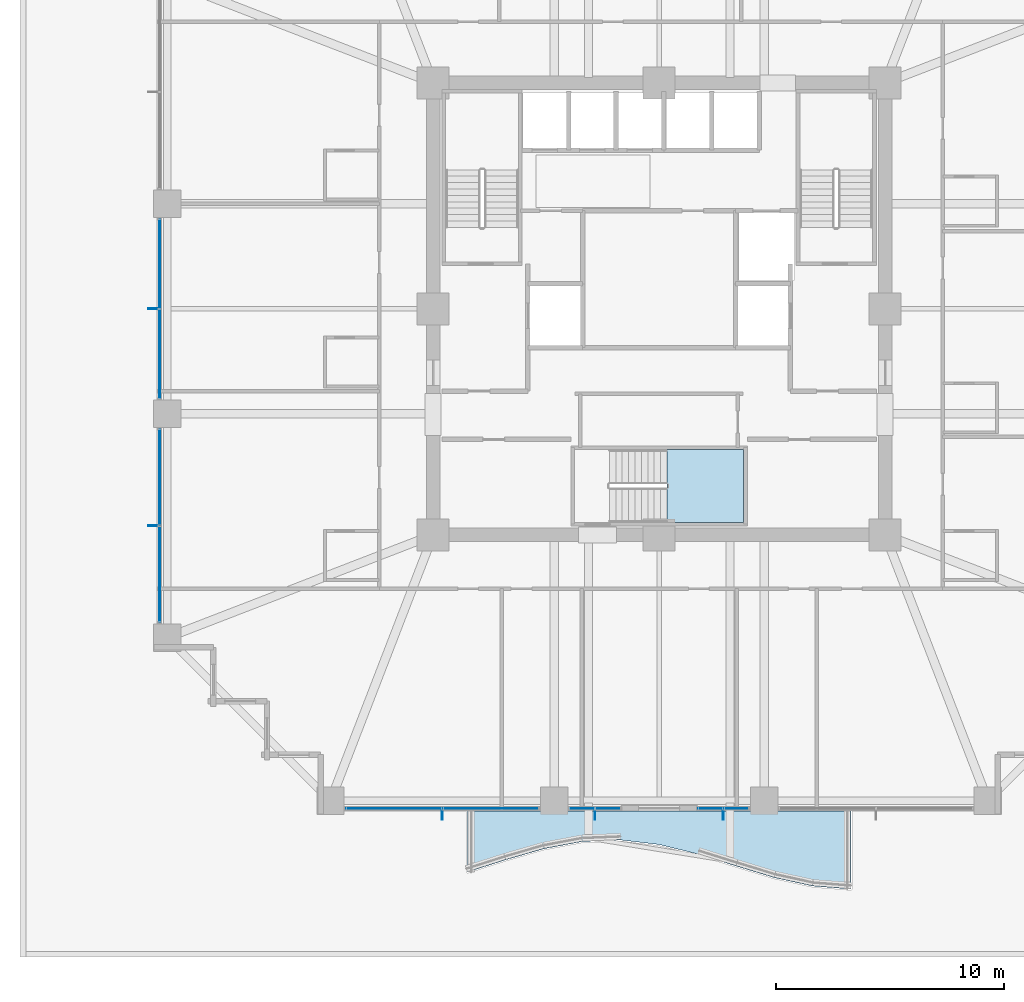
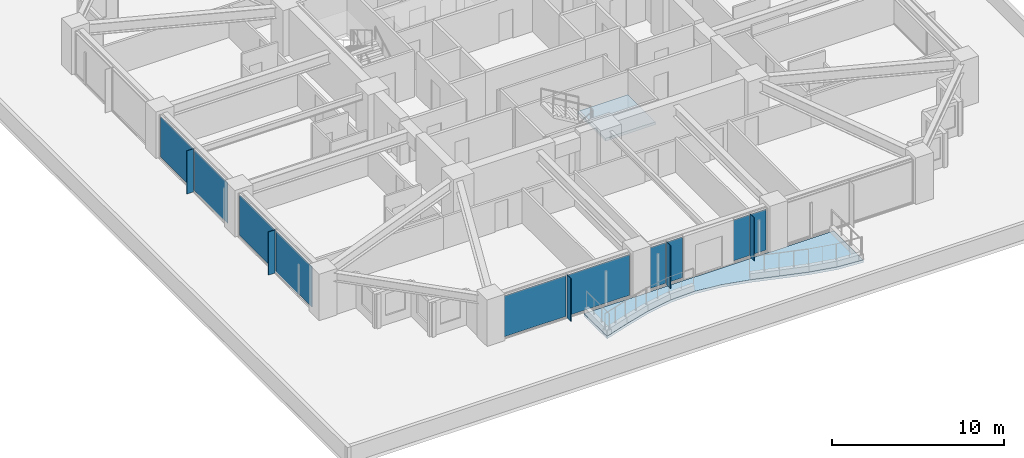
# One storey, part 25 of 36: 15 plates, 2 slabs, 6 elements without a shape of their own.
"""IFC4 building model written with IfcOpenShell, lengths in metres."""

from ifc_helpers import new_model, si_unit, direction, frame, origin, origin_2d, place, context, subcontext, project, spatial, polyline, rectangle, outline, extrude, material, layer, layer_set, type_object, element, aggregate, save


model = new_model("IFC4")

# Units and contexts
model_context = context("Model", 3, precision=1e-05, world=origin(), true_north=direction((0.0, 1.0)))
body_context = subcontext(model_context, "Body", "Model", "MODEL_VIEW")
ifc_project = project(units=[si_unit("LENGTHUNIT", "METRE"), si_unit("AREAUNIT", "SQUARE_METRE"), si_unit("VOLUMEUNIT", "CUBIC_METRE"), si_unit("PLANEANGLEUNIT", "RADIAN"), si_unit("MASSUNIT", "GRAM", prefix="KILO")], contexts=[model_context])

# Site, building, storey
site_placement = place(None, origin())
site = spatial("IfcSite", under=ifc_project, at=site_placement, CompositionType="ELEMENT")
building_placement = place(site_placement, origin())
building = spatial("IfcBuilding", under=site, at=building_placement, Name="Kolvaren Belvedere", CompositionType="ELEMENT")
storey_placement = place(building_placement, frame((0.0, 0.0, 23.800048828125)))
storey = spatial("IfcBuildingStorey", under=building, at=storey_placement, Name="L06", CompositionType="ELEMENT", Elevation=23.800048828125)

# Curtain wall, plates
ifc_material_1 = material(Name="Anodised pale-metal aluminium AA 6063-T6", Category="aluminium")
curtain_wall_type = type_object("IfcCurtainWallType", Name="CW-Z1-LOW", PredefinedType="NOTDEFINED", material=ifc_material_1)
curtain_wall_1_placement = place(storey_placement, origin())
curtain_wall_1 = element("IfcCurtainWall", 1, at=curtain_wall_1_placement, inside=storey, type_object=curtain_wall_type, Name="L06 Unitised Curtain Wall FCW-L06-S1-B2", PredefinedType="NOTDEFINED")
ifc_material_2 = material(Name="Low-iron triple insulated glass", Category="glass")
ifc_layer_1 = layer(ifc_material_2, 0.028076171875)
ifc_layer_set_1 = layer_set([ifc_layer_1], Name="Low-iron triple insulated glass")
plate_type_1 = type_object("IfcPlateType", Name="CW-PNL-VIS28", PredefinedType="CURTAIN_PANEL", material=ifc_layer_set_1)
plate_1_placement = place(storey_placement, frame((3.37890625, -21.8798828125, 0.080078125), z_axis=(0.0, 0.0, 1.0), x_axis=(-1.0, 0.0, 0.0)))
plate_1 = element("IfcPlate", 2, at=plate_1_placement, type_object=plate_type_1, Name="FCW-L06-S1-B2 Vision Glazing Panel 1", PredefinedType="CURTAIN_PANEL", context=body_context, shape_type="SweptSolid", body=[
    extrude(rectangle(XDim=1.052490234375, YDim=0.028076171875, at=origin_2d()), origin(), (0.0, 0.0, 1.0), 2.89990234375),
])
plate_2_placement = place(storey_placement, frame((2.24609375, -21.8798828125, 0.080078125), z_axis=(0.0, 0.0, 1.0), x_axis=(-1.0, 0.0, 0.0)))
plate_2 = element("IfcPlate", 3, at=plate_2_placement, type_object=plate_type_1, Name="FCW-L06-S1-B2 Vision Glazing Panel 2", PredefinedType="CURTAIN_PANEL", context=body_context, shape_type="SweptSolid", body=[
    extrude(rectangle(XDim=1.052490234375, YDim=0.028076171875, at=origin_2d()), origin(), (0.0, 0.0, 1.0), 2.89990234375),
])
aggregate(curtain_wall_1, [plate_1, plate_2])

curtain_wall_2_placement = place(storey_placement, origin())
curtain_wall_2 = element("IfcCurtainWall", 4, at=curtain_wall_2_placement, inside=storey, type_object=curtain_wall_type, Name="L06 Unitised Curtain Wall FCW-L06-S2-B1", PredefinedType="NOTDEFINED")
plate_3_placement = place(storey_placement, frame((-2.24609375, -21.8798828125, 0.080078125), z_axis=(0.0, 0.0, 1.0), x_axis=(-1.0, 0.0, 0.0)))
plate_3 = element("IfcPlate", 5, at=plate_3_placement, type_object=plate_type_1, Name="FCW-L06-S2-B1 Vision Glazing Panel 1", PredefinedType="CURTAIN_PANEL", context=body_context, shape_type="SweptSolid", body=[
    extrude(rectangle(XDim=1.052490234375, YDim=0.028076171875, at=origin_2d()), origin(), (0.0, 0.0, 1.0), 2.89990234375),
])
plate_4_placement = place(storey_placement, frame((-3.378662109375, -21.8798828125, 0.080078125), z_axis=(0.0, 0.0, 1.0), x_axis=(-1.0, 0.0, 0.0)))
plate_4 = element("IfcPlate", 6, at=plate_4_placement, type_object=plate_type_1, Name="FCW-L06-S2-B1 Vision Glazing Panel 2", PredefinedType="CURTAIN_PANEL", context=body_context, shape_type="SweptSolid", body=[
    extrude(rectangle(XDim=1.052490234375, YDim=0.028076171875, at=origin_2d()), origin(), (0.0, 0.0, 1.0), 2.89990234375),
])
aggregate(curtain_wall_2, [plate_3, plate_4])

curtain_wall_3_placement = place(storey_placement, origin())
curtain_wall_3 = element("IfcCurtainWall", 7, at=curtain_wall_3_placement, inside=storey, type_object=curtain_wall_type, Name="L06 Unitised Curtain Wall FCW-L06-S2-B2", PredefinedType="NOTDEFINED")
plate_5_placement = place(storey_placement, frame((-7.37744140625, -21.8798828125, 0.080078125), z_axis=(0.0, 0.0, 1.0), x_axis=(-1.0, 0.0, 0.0)))
plate_5 = element("IfcPlate", 8, at=plate_5_placement, type_object=plate_type_1, Name="FCW-L06-S2-B2 Vision Glazing Panel 1", PredefinedType="CURTAIN_PANEL", context=body_context, shape_type="SweptSolid", body=[
    extrude(rectangle(XDim=4.1650390625, YDim=0.028076171875, at=origin_2d()), origin(), (0.0, 0.0, 1.0), 2.89990234375),
])
plate_6_placement = place(storey_placement, frame((-11.62255859375, -21.8798828125, 0.080078125), z_axis=(0.0, 0.0, 1.0), x_axis=(-1.0, 0.0, 0.0)))
plate_6 = element("IfcPlate", 9, at=plate_6_placement, type_object=plate_type_1, Name="FCW-L06-S2-B2 Vision Glazing Panel 2", PredefinedType="CURTAIN_PANEL", context=body_context, shape_type="SweptSolid", body=[
    extrude(rectangle(XDim=4.1650390625, YDim=0.028076171875, at=origin_2d()), origin(), (0.0, 0.0, 1.0), 2.89990234375),
])
aggregate(curtain_wall_3, [plate_5, plate_6])

curtain_wall_4_placement = place(storey_placement, origin())
curtain_wall_4 = element("IfcCurtainWall", 10, at=curtain_wall_4_placement, inside=storey, type_object=curtain_wall_type, Name="L06 Unitised Curtain Wall FCW-L06-W-B1", PredefinedType="NOTDEFINED")
plate_7_placement = place(storey_placement, frame((-21.8798828125, -11.62255859375, 0.080078125), z_axis=(0.0, 0.0, 1.0), x_axis=(0.0, 1.0, 0.0)))
plate_7 = element("IfcPlate", 11, at=plate_7_placement, type_object=plate_type_1, Name="FCW-L06-W-B1 Vision Glazing Panel 1", PredefinedType="CURTAIN_PANEL", context=body_context, shape_type="SweptSolid", body=[
    extrude(rectangle(XDim=4.1650390625, YDim=0.028076171875, at=origin_2d()), origin(), (0.0, 0.0, 1.0), 2.89990234375),
])
plate_8_placement = place(storey_placement, frame((-21.8798828125, -7.37744140625, 0.080078125), z_axis=(0.0, 0.0, 1.0), x_axis=(0.0, 1.0, 0.0)))
plate_8 = element("IfcPlate", 12, at=plate_8_placement, type_object=plate_type_1, Name="FCW-L06-W-B1 Vision Glazing Panel 2", PredefinedType="CURTAIN_PANEL", context=body_context, shape_type="SweptSolid", body=[
    extrude(rectangle(XDim=4.1650390625, YDim=0.028076171875, at=origin_2d()), origin(), (0.0, 0.0, 1.0), 2.89990234375),
])
aggregate(curtain_wall_4, [plate_7, plate_8])

curtain_wall_5_placement = place(storey_placement, origin())
curtain_wall_5 = element("IfcCurtainWall", 13, at=curtain_wall_5_placement, inside=storey, type_object=curtain_wall_type, Name="L06 Unitised Curtain Wall FCW-L06-W-B2", PredefinedType="NOTDEFINED")
plate_9_placement = place(storey_placement, frame((-21.8798828125, -1.972412109375, 0.080078125), z_axis=(0.0, 0.0, 1.0), x_axis=(0.0, 1.0, 0.0)))
plate_9 = element("IfcPlate", 14, at=plate_9_placement, type_object=plate_type_1, Name="FCW-L06-W-B2 Vision Glazing Panel 1", PredefinedType="CURTAIN_PANEL", context=body_context, shape_type="SweptSolid", body=[
    extrude(rectangle(XDim=3.864990234375, YDim=0.028076171875, at=origin_2d()), origin(), (0.0, 0.0, 1.0), 2.89990234375),
])
plate_10_placement = place(storey_placement, frame((-21.8798828125, 1.972412109375, 0.080078125), z_axis=(0.0, 0.0, 1.0), x_axis=(0.0, 1.0, 0.0)))
plate_10 = element("IfcPlate", 15, at=plate_10_placement, type_object=plate_type_1, Name="FCW-L06-W-B2 Vision Glazing Panel 2", PredefinedType="CURTAIN_PANEL", context=body_context, shape_type="SweptSolid", body=[
    extrude(rectangle(XDim=3.864990234375, YDim=0.028076171875, at=origin_2d()), origin(), (0.0, 0.0, 1.0), 2.89990234375),
])
aggregate(curtain_wall_5, [plate_9, plate_10])

# Plates
ifc_material_3 = material(Name="Anodised pale-metal aluminium AA 6063-T6", Category="aluminium")
ifc_layer_2 = layer(ifc_material_3, 0.0380859375)
ifc_layer_set_2 = layer_set([ifc_layer_2], Name="Anodised pale-metal aluminium AA 6063-T6")
plate_type_2 = type_object("IfcPlateType", Name="FIN-VERT-450", PredefinedType="USERDEFINED", material=ifc_layer_set_2)
for number, where, z_axis, x_axis, name in (
    (16, (2.8125, -22.1650390625, 0.0), (0.0, 0.0, 1.0), (0.0, 1.0, 0.0), "L06 Pale-Metal Vertical Shading Fin FCW-L06-S1-B2-1"),
    (17, (-2.8125, -22.1650390625, 0.0), (0.0, 0.0, 1.0), (0.0, 1.0, 0.0), "L06 Pale-Metal Vertical Shading Fin FCW-L06-S2-B1-1"),
    (18, (-9.5, -22.1650390625, 0.0), (0.0, 0.0, 1.0), (0.0, 1.0, 0.0), "L06 Pale-Metal Vertical Shading Fin FCW-L06-S2-B2-1"),
    (19, (-22.1650390625, -9.5, 0.0), (0.0, 0.0, 1.0), (1.0, 0.0, 0.0), "L06 Pale-Metal Vertical Shading Fin FCW-L06-W-B1-1"),
    (20, (-22.1650390625, 0.0, 0.0), (0.0, 0.0, 1.0), (1.0, 0.0, 0.0), "L06 Pale-Metal Vertical Shading Fin FCW-L06-W-B2-1"),
):
    element("IfcPlate", number, at=place(storey_placement, frame(where, z_axis=z_axis, x_axis=x_axis)), inside=storey, type_object=plate_type_2, Name=name, ObjectType="VERTICAL FIN", PredefinedType="USERDEFINED", context=body_context, shape_type="SweptSolid", body=[
        extrude(rectangle(XDim=0.449951171875, YDim=0.0380859375, at=origin_2d()), origin(), (0.0, 0.0, 1.0), 3.06005859375),
    ])

# Slab
ifc_material_4 = material(Name="Concrete C50/60", Category="concrete")
ifc_layer_3 = layer(ifc_material_4, 0.179931640625)
ifc_layer_set_3 = layer_set([ifc_layer_3], Name="Concrete C50/60")
slab_type_1 = type_object("IfcSlabType", Name="SL-BAL-180", PredefinedType="FLOOR", material=ifc_layer_set_3)
slab_1_placement = place(storey_placement, frame((0.0, 0.0, -0.239990234375)))
element("IfcSlab", 21, at=slab_1_placement, inside=storey, type_object=slab_type_1, Name="L06 Planted Balcony BAL-S", PredefinedType="FLOOR", context=body_context, shape_type="SweptSolid", body=[
    extrude(outline(polyline([(-8.39990234375, -24.673583984375), (-6.719970703125, -24.1376953125), (-5.0400390625, -23.651611328125), (-3.360107421875, -23.335693359375), (-1.679931640625, -23.2685546875), (0.0, -23.46630859375), (1.679931640625, -23.880126953125), (3.360107421875, -24.40771484375), (5.0400390625, -24.918701171875), (6.719970703125, -25.286376953125), (8.39990234375, -25.419921875), (8.39990234375, -22.0), (6.719970703125, -22.0), (5.0400390625, -22.0), (3.360107421875, -22.0), (1.679931640625, -22.0), (0.0, -22.0), (-1.679931640625, -22.0), (-3.360107421875, -22.0), (-5.0400390625, -22.0), (-6.719970703125, -22.0), (-8.39990234375, -22.0), (-8.39990234375, -24.673583984375)])), origin(), (0.0, 0.0, 1.0), 0.179931640625),
])

# Stair, slab
ifc_material_5 = material(Name="Concrete C50/60", Category="concrete")
stair_type = type_object("IfcStairType", Name="ST-CORE-1520", PredefinedType="HALF_TURN_STAIR", material=ifc_material_5)
stair_placement = place(storey_placement, origin())
stair = element("IfcStair", 22, at=stair_placement, inside=storey, type_object=stair_type, Name="L06 Protected Exit Stair ST-3", PredefinedType="HALF_TURN_STAIR")
ifc_material_6 = material(Name="Concrete C50/60", Category="concrete")
ifc_layer_4 = layer(ifc_material_6, 0.260009765625)
ifc_layer_set_4 = layer_set([ifc_layer_4], Name="Concrete C50/60")
slab_type_2 = type_object("IfcSlabType", Name="SL-LAND-260", PredefinedType="LANDING", material=ifc_layer_set_4)
slab_2_placement = place(storey_placement, frame((0.0, 0.0, 1.449951171875)))
slab_2 = element("IfcSlab", 23, at=slab_2_placement, type_object=slab_type_2, Name="ST-3 landing 1", PredefinedType="LANDING", context=body_context, shape_type="SweptSolid", body=[
    extrude(outline(polyline([(0.340087890625, -9.35009765625), (3.699951171875, -9.35009765625), (3.699951171875, -6.159912109375), (0.340087890625, -6.159912109375), (0.340087890625, -9.35009765625)])), origin(), (0.0, 0.0, 1.0), 0.199951171875),
])
aggregate(stair, [slab_2])

save(model, "model.ifc")
